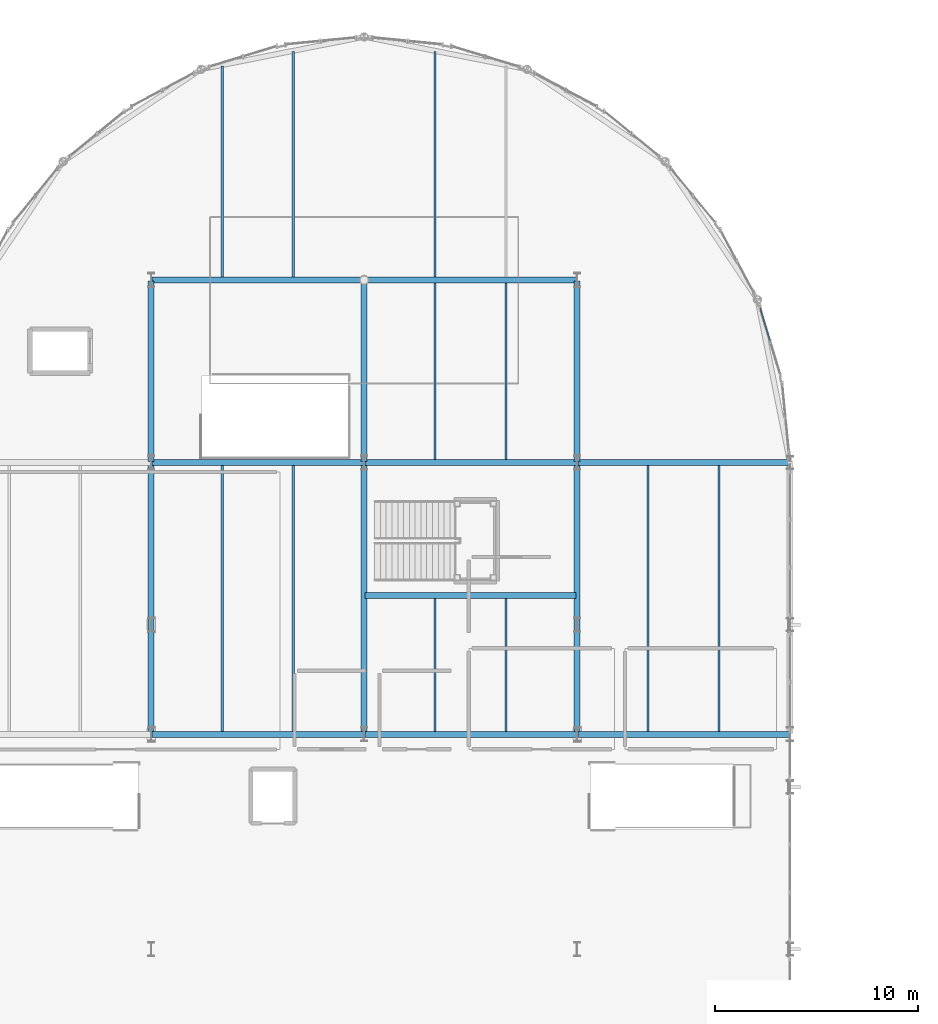
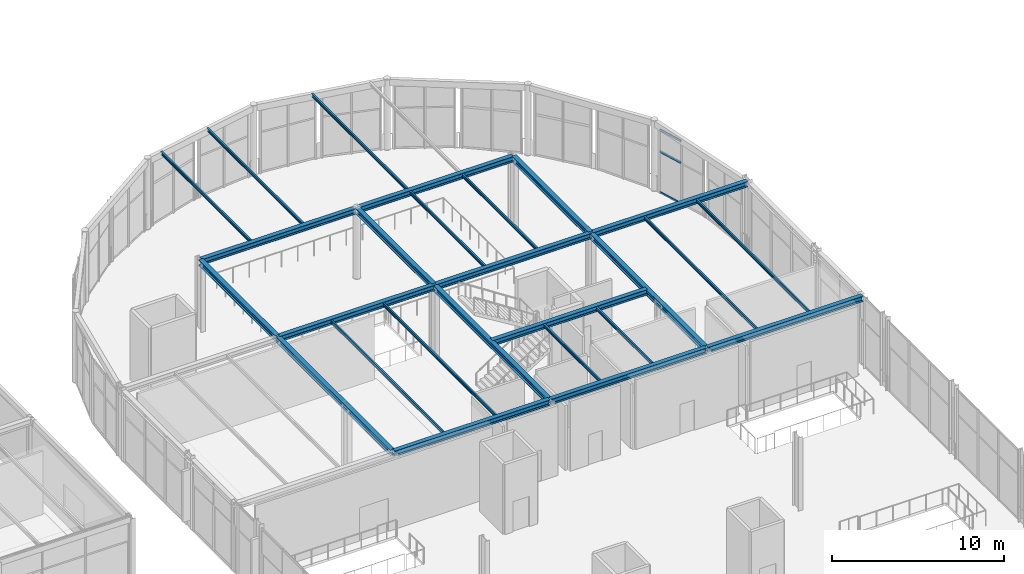
# One storey, part 57 of 195: 26 beams, 3 members, 1 element without a shape of its own.
"""IFC4 building model written with IfcOpenShell, lengths in metres."""

from ifc_helpers import new_model, si_unit, direction, frame, origin, origin_2d, place, context, subcontext, project, spatial, hollow_rectangle, i_section, extrude, material, layer, layer_set, material_profile, profile_set, type_object, element, aggregate, save


model = new_model("IFC4")

# Units and contexts
model_context = context("Model", 3, precision=1e-05, world=origin(), true_north=direction((0.0, 1.0)))
body_context = subcontext(model_context, "Body", "Model", "MODEL_VIEW")
ifc_project = project(units=[si_unit("LENGTHUNIT", "METRE"), si_unit("AREAUNIT", "SQUARE_METRE"), si_unit("VOLUMEUNIT", "CUBIC_METRE"), si_unit("PLANEANGLEUNIT", "RADIAN"), si_unit("MASSUNIT", "GRAM", prefix="KILO")], contexts=[model_context])

# Site, building, storey
site_placement = place(None, origin())
site = spatial("IfcSite", under=ifc_project, at=site_placement, CompositionType="ELEMENT")
building_placement = place(site_placement, origin())
building = spatial("IfcBuilding", under=site, at=building_placement, Name="Marlcrest Central Station", CompositionType="ELEMENT")
storey_placement = place(building_placement, frame((0.0, 0.0, 9.800048828125)))
storey = spatial("IfcBuildingStorey", under=building, at=storey_placement, Name="L02", CompositionType="ELEMENT", Elevation=9.800048828125)

# Beams
ifc_material_1 = material(Name="Steel S355", Category="steel")
ifc_material_profile_1 = material_profile(ifc_material_1, i_section(OverallWidth=0.300048828125, OverallDepth=0.389892578125, WebThickness=0.010986328125, FlangeThickness=0.01904296875, FilletRadius=0.027099609375, at=origin_2d()), Name="HEA 400")
ifc_profile_set_1 = profile_set([ifc_material_profile_1], Name="Steel S355")
beam_type_1 = type_object("IfcBeamType", Name="BM-08", PredefinedType="BEAM", material=ifc_profile_set_1)
for number, where, z_axis, x_axis, name in (
    (1, (97.550048828125, 119.5, 4.800048828125), (1.0, 0.0, 0.0), (0.0, 1.0, 0.0), "bm-BM-08-L02-01485"),
    (2, (108.050048828125, 119.5, 4.800048828125), (1.0, 0.0, 0.0), (0.0, 1.0, 0.0), "bm-BM-08-L02-01486"),
    (3, (97.550048828125, 110.5, 4.800048828125), (1.0, 0.0, 0.0), (0.0, 1.0, 0.0), "bm-BM-08-L02-01488"),
    (4, (108.050048828125, 110.5, 4.800048828125), (1.0, 0.0, 0.0), (0.0, 1.0, 0.0), "bm-BM-08-L02-01489"),
    (5, (118.550048828125, 110.5, 4.800048828125), (1.0, 0.0, 0.0), (0.0, 1.0, 0.0), "bm-BM-08-L02-01490"),
):
    element("IfcBeam", number, at=place(storey_placement, frame(where, z_axis=z_axis, x_axis=x_axis)), inside=storey, type_object=beam_type_1, Name=name, PredefinedType="BEAM", context=body_context, shape_type="SweptSolid", body=[
        extrude(i_section(OverallWidth=0.300048828125, OverallDepth=0.389892578125, WebThickness=0.010986328125, FlangeThickness=0.01904296875, FilletRadius=0.027099609375, at=origin_2d()), origin(), (0.0, 0.0, 1.0), 10.39990234375),
    ])
for number, where, z_axis, x_axis, name in (
    (6, (97.5, 110.550048828125, 4.800048828125), (0.0, 1.0, 0.0), (-1.0, 0.0, 0.0), "bm-BM-08-L02-01491"),
    (7, (108.0, 110.550048828125, 4.800048828125), (0.0, 1.0, 0.0), (-1.0, 0.0, 0.0), "bm-BM-08-L02-01492"),
    (8, (118.5, 110.550048828125, 4.800048828125), (0.0, 1.0, 0.0), (-1.0, 0.0, 0.0), "bm-BM-08-L02-01493"),
):
    element("IfcBeam", number, at=place(storey_placement, frame(where, z_axis=z_axis, x_axis=x_axis)), inside=storey, type_object=beam_type_1, Name=name, PredefinedType="BEAM", context=body_context, shape_type="SweptSolid", body=[
        extrude(i_section(OverallWidth=0.300048828125, OverallDepth=0.389892578125, WebThickness=0.010986328125, FlangeThickness=0.01904296875, FilletRadius=0.027099609375, at=origin_2d()), origin(), (0.0, 0.0, 1.0), 8.89990234375),
    ])
for number, where, z_axis, x_axis, name in (
    (9, (97.550048828125, 97.10009765625, 4.800048828125), (1.0, 0.0, 0.0), (0.0, 1.0, 0.0), "bm-BM-08-L02-01501"),
    (10, (108.050048828125, 97.10009765625, 4.800048828125), (1.0, 0.0, 0.0), (0.0, 1.0, 0.0), "bm-BM-08-L02-01502"),
    (11, (118.550048828125, 97.10009765625, 4.800048828125), (1.0, 0.0, 0.0), (0.0, 1.0, 0.0), "bm-BM-08-L02-01503"),
):
    element("IfcBeam", number, at=place(storey_placement, frame(where, z_axis=z_axis, x_axis=x_axis)), inside=storey, type_object=beam_type_1, Name=name, PredefinedType="BEAM", context=body_context, shape_type="SweptSolid", body=[
        extrude(i_section(OverallWidth=0.300048828125, OverallDepth=0.389892578125, WebThickness=0.010986328125, FlangeThickness=0.01904296875, FilletRadius=0.027099609375, at=origin_2d()), origin(), (0.0, 0.0, 1.0), 10.39990234375),
    ])
for number, where, z_axis, x_axis, name in (
    (12, (97.5, 97.14990234375, 4.800048828125), (0.0, 1.0, 0.0), (-1.0, 0.0, 0.0), "bm-BM-08-L02-01505"),
    (13, (108.0, 97.14990234375, 4.800048828125), (0.0, 1.0, 0.0), (-1.0, 0.0, 0.0), "bm-BM-08-L02-01506"),
    (14, (118.5, 97.14990234375, 4.800048828125), (0.0, 1.0, 0.0), (-1.0, 0.0, 0.0), "bm-BM-08-L02-01507"),
):
    element("IfcBeam", number, at=place(storey_placement, frame(where, z_axis=z_axis, x_axis=x_axis)), inside=storey, type_object=beam_type_1, Name=name, PredefinedType="BEAM", context=body_context, shape_type="SweptSolid", body=[
        extrude(i_section(OverallWidth=0.300048828125, OverallDepth=0.389892578125, WebThickness=0.010986328125, FlangeThickness=0.01904296875, FilletRadius=0.027099609375, at=origin_2d()), origin(), (0.0, 0.0, 1.0), 13.300048828125),
    ])
beam_1_placement = place(storey_placement, frame((108.050048828125, 103.949951171875, 4.800048828125), z_axis=(1.0, 0.0, 0.0), x_axis=(0.0, 1.0, 0.0)))
element("IfcBeam", 15, at=beam_1_placement, inside=storey, type_object=beam_type_1, Name="bm-BM-08-L02-01509", PredefinedType="BEAM", context=body_context, shape_type="SweptSolid", body=[
    extrude(i_section(OverallWidth=0.300048828125, OverallDepth=0.389892578125, WebThickness=0.010986328125, FlangeThickness=0.01904296875, FilletRadius=0.027099609375, at=origin_2d()), origin(), (0.0, 0.0, 1.0), 10.39990234375),
])
ifc_material_profile_2 = material_profile(ifc_material_1, i_section(OverallWidth=0.110107421875, OverallDepth=0.219970703125, WebThickness=0.005859375, FlangeThickness=0.00927734375, FilletRadius=0.011962890625, at=origin_2d()), Name="IPE 220")
ifc_profile_set_2 = profile_set([ifc_material_profile_2], Name="Steel S355")
beam_type_2 = type_object("IfcBeamType", Name="JS-02", PredefinedType="JOIST", material=ifc_profile_set_2)
beam_2_placement = place(storey_placement, frame((101.0, 119.64794921875, 4.885009765625), z_axis=(0.0, 1.0, 0.0), x_axis=(-1.0, 0.0, 0.0)))
element("IfcBeam", 16, at=beam_2_placement, inside=storey, type_object=beam_type_2, Name="bm-JS-02-L02-01494", PredefinedType="JOIST", context=body_context, shape_type="SweptSolid", body=[
    extrude(i_section(OverallWidth=0.110107421875, OverallDepth=0.219970703125, WebThickness=0.005859375, FlangeThickness=0.00927734375, FilletRadius=0.011962890625, at=origin_2d()), origin(), (0.0, 0.0, 1.0), 10.419189453125),
])
for number, where, z_axis, x_axis, name in (
    (17, (104.5, 119.64794921875, 4.885009765625), (0.0, 1.0, 0.0), (-1.0, 0.0, 0.0), "bm-JS-02-L02-01495"),
    (18, (111.5, 119.64794921875, 4.885009765625), (0.0, 1.0, 0.0), (-1.0, 0.0, 0.0), "bm-JS-02-L02-01496"),
):
    element("IfcBeam", number, at=place(storey_placement, frame(where, z_axis=z_axis, x_axis=x_axis)), inside=storey, type_object=beam_type_2, Name=name, PredefinedType="JOIST", context=body_context, shape_type="SweptSolid", body=[
        extrude(i_section(OverallWidth=0.110107421875, OverallDepth=0.219970703125, WebThickness=0.005859375, FlangeThickness=0.00927734375, FilletRadius=0.011962890625, at=origin_2d()), origin(), (0.0, 0.0, 1.0), 11.11572265625),
    ])
for number, where, z_axis, x_axis, name in (
    (19, (111.5, 110.64794921875, 4.885009765625), (0.0, 1.0, 0.0), (-1.0, 0.0, 0.0), "bm-JS-02-L02-01497"),
    (20, (115.0, 110.64794921875, 4.885009765625), (0.0, 1.0, 0.0), (-1.0, 0.0, 0.0), "bm-JS-02-L02-01499"),
):
    element("IfcBeam", number, at=place(storey_placement, frame(where, z_axis=z_axis, x_axis=x_axis)), inside=storey, type_object=beam_type_2, Name=name, PredefinedType="JOIST", context=body_context, shape_type="SweptSolid", body=[
        extrude(i_section(OverallWidth=0.110107421875, OverallDepth=0.219970703125, WebThickness=0.005859375, FlangeThickness=0.00927734375, FilletRadius=0.011962890625, at=origin_2d()), origin(), (0.0, 0.0, 1.0), 8.7041015625),
    ])
for number, where, z_axis, x_axis, name in (
    (21, (101.0, 97.248046875, 4.885009765625), (0.0, 1.0, 0.0), (-1.0, 0.0, 0.0), "bm-JS-02-L02-01512"),
    (22, (104.5, 97.248046875, 4.885009765625), (0.0, 1.0, 0.0), (-1.0, 0.0, 0.0), "bm-JS-02-L02-01513"),
):
    element("IfcBeam", number, at=place(storey_placement, frame(where, z_axis=z_axis, x_axis=x_axis)), inside=storey, type_object=beam_type_2, Name=name, PredefinedType="JOIST", context=body_context, shape_type="SweptSolid", body=[
        extrude(i_section(OverallWidth=0.110107421875, OverallDepth=0.219970703125, WebThickness=0.005859375, FlangeThickness=0.00927734375, FilletRadius=0.011962890625, at=origin_2d()), origin(), (0.0, 0.0, 1.0), 13.10400390625),
    ])
for number, where, z_axis, x_axis, name in (
    (23, (111.5, 97.248046875, 4.885009765625), (0.0, 1.0, 0.0), (-1.0, 0.0, 0.0), "bm-JS-02-L02-01514"),
    (24, (115.0, 97.248046875, 4.885009765625), (0.0, 1.0, 0.0), (-1.0, 0.0, 0.0), "bm-JS-02-L02-01515"),
):
    element("IfcBeam", number, at=place(storey_placement, frame(where, z_axis=z_axis, x_axis=x_axis)), inside=storey, type_object=beam_type_2, Name=name, PredefinedType="JOIST", context=body_context, shape_type="SweptSolid", body=[
        extrude(i_section(OverallWidth=0.110107421875, OverallDepth=0.219970703125, WebThickness=0.005859375, FlangeThickness=0.00927734375, FilletRadius=0.011962890625, at=origin_2d()), origin(), (0.0, 0.0, 1.0), 6.553955078125),
    ])
for number, where, z_axis, x_axis, name in (
    (25, (122.0, 97.248046875, 4.885009765625), (0.0, 1.0, 0.0), (-1.0, 0.0, 0.0), "bm-JS-02-L02-01516"),
    (26, (125.5, 97.248046875, 4.885009765625), (0.0, 1.0, 0.0), (-1.0, 0.0, 0.0), "bm-JS-02-L02-01517"),
):
    element("IfcBeam", number, at=place(storey_placement, frame(where, z_axis=z_axis, x_axis=x_axis)), inside=storey, type_object=beam_type_2, Name=name, PredefinedType="JOIST", context=body_context, shape_type="SweptSolid", body=[
        extrude(i_section(OverallWidth=0.110107421875, OverallDepth=0.219970703125, WebThickness=0.005859375, FlangeThickness=0.00927734375, FilletRadius=0.011962890625, at=origin_2d()), origin(), (0.0, 0.0, 1.0), 13.10400390625),
    ])

# Curtain wall, members
ifc_material_2 = material(Name="Anodised aluminium and hurricane laminated glass", Category="aluminium")
ifc_layer = layer(ifc_material_2, 0.219970703125, Name="CW-U1")
ifc_layer_set = layer_set([ifc_layer], Name="Anodised aluminium and hurricane laminated glass")
curtain_wall_type = type_object("IfcCurtainWallType", Name="CW-U1", PredefinedType="USERDEFINED", material=ifc_layer_set)
curtain_wall_placement = place(storey_placement, origin())
curtain_wall = element("IfcCurtainWall", 27, at=curtain_wall_placement, inside=storey, type_object=curtain_wall_type, Name="cw-L02-0081", ObjectType="UNITISED_CURTAIN_WALL", PredefinedType="USERDEFINED")
ifc_material_3 = material(Name="Anodised aluminium 6063-T6", Category="aluminium")
ifc_material_profile_3 = material_profile(ifc_material_3, hollow_rectangle(XDim=0.06005859375, YDim=0.14990234375, WallThickness=0.00390625, at=origin_2d()), Name="AA-RHS 150x60x4")
ifc_profile_set_3 = profile_set([ifc_material_profile_3], Name="Anodised aluminium 6063-T6")
member_type = type_object("IfcMemberType", Name="TR-01", PredefinedType="USERDEFINED", material=ifc_profile_set_3)
member_1_placement = place(storey_placement, frame((127.529296875, 118.113037109375, 0.0400390625), z_axis=(0.29025787087, -0.95694846695, 0.0), x_axis=(0.95694846695, 0.29025787087, 0.0)))
member_1 = element("IfcMember", 28, at=member_1_placement, type_object=member_type, Name="cw-L02-0081-tr-0-sill", ObjectType="TRANSOM", PredefinedType="USERDEFINED", context=body_context, shape_type="SweptSolid", body=[
    extrude(hollow_rectangle(XDim=0.06005859375, YDim=0.14990234375, WallThickness=0.00390625, at=origin_2d()), origin(), (0.0, 0.0, 1.0), 1.67724609375),
])
member_2_placement = place(storey_placement, frame((127.529296875, 118.113037109375, 2.925048828125), z_axis=(0.29025787087, -0.95694846695, 0.0), x_axis=(0.95694846695, 0.29025787087, 0.0)))
member_2 = element("IfcMember", 29, at=member_2_placement, type_object=member_type, Name="cw-L02-0081-tr-0-mid", ObjectType="TRANSOM", PredefinedType="USERDEFINED", context=body_context, shape_type="SweptSolid", body=[
    extrude(hollow_rectangle(XDim=0.06005859375, YDim=0.14990234375, WallThickness=0.00390625, at=origin_2d()), origin(), (0.0, 0.0, 1.0), 1.67724609375),
])
member_3_placement = place(storey_placement, frame((127.529296875, 118.113037109375, 4.4599609375), z_axis=(0.29025787087, -0.95694846695, 0.0), x_axis=(0.95694846695, 0.29025787087, 0.0)))
member_3 = element("IfcMember", 30, at=member_3_placement, type_object=member_type, Name="cw-L02-0081-tr-0-head", ObjectType="TRANSOM", PredefinedType="USERDEFINED", context=body_context, shape_type="SweptSolid", body=[
    extrude(hollow_rectangle(XDim=0.06005859375, YDim=0.14990234375, WallThickness=0.00390625, at=origin_2d()), origin(), (0.0, 0.0, 1.0), 1.67724609375),
])
aggregate(curtain_wall, [member_1, member_2, member_3])

save(model, "model.ifc")
